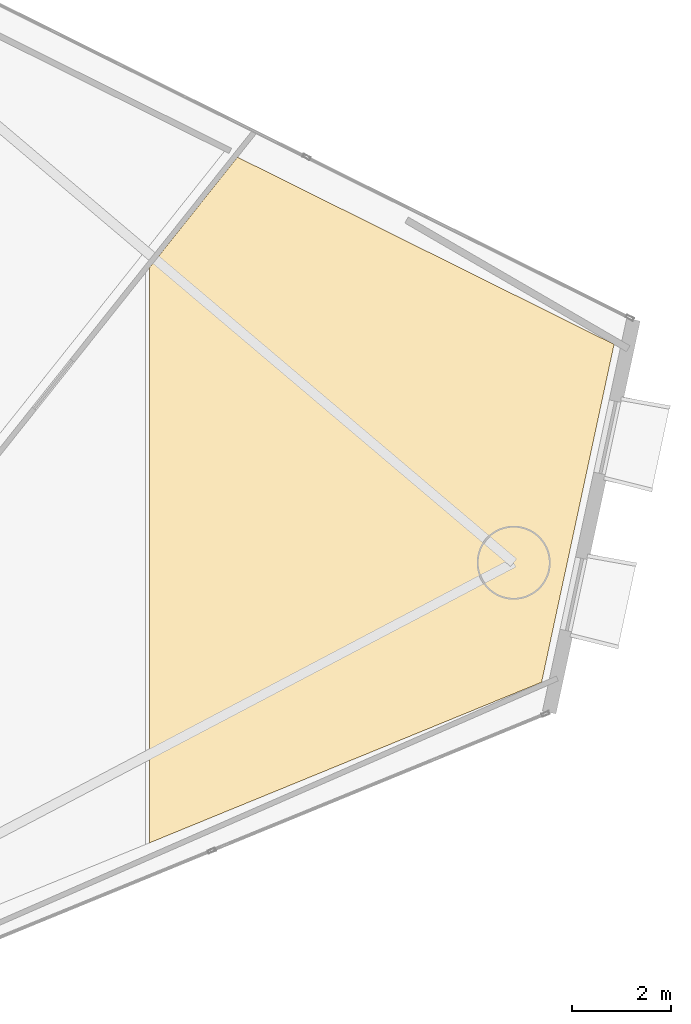
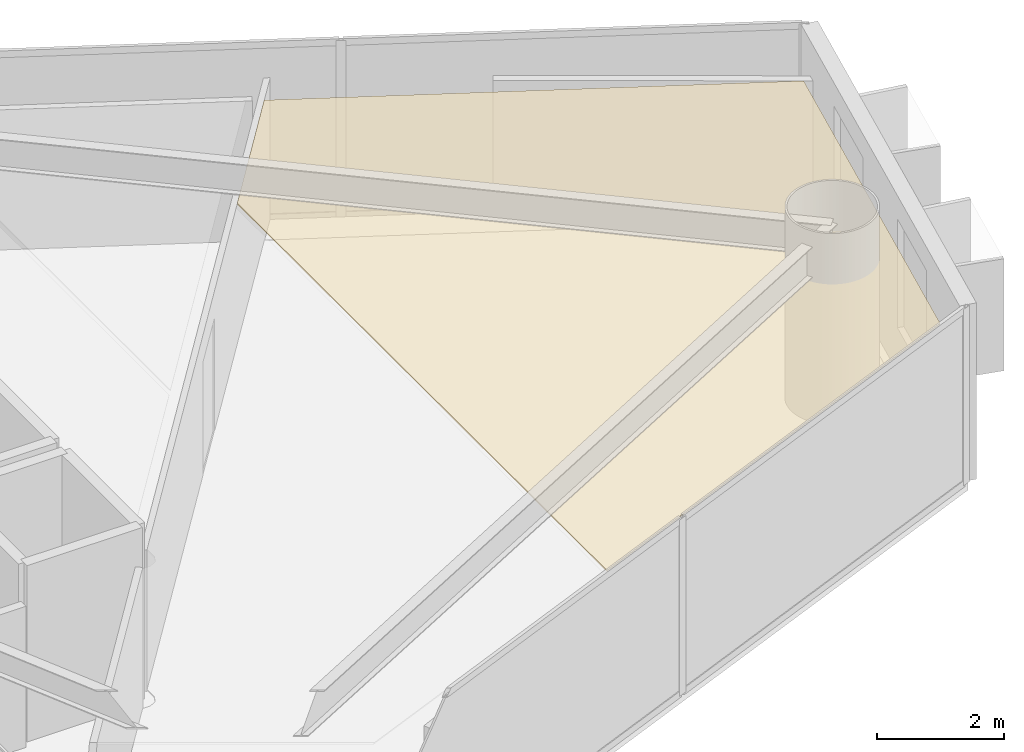
# One storey, part 22 of 22: 1 covering.
"""IFC4 building model written with IfcOpenShell, lengths in metres."""

from ifc_helpers import new_model, si_unit, direction, frame, origin, place, context, subcontext, project, spatial, polyline, outline, extrude, material, layer, layer_set, type_object, element, save


model = new_model("IFC4")

# Units and contexts
model_context = context("Model", 3, precision=1e-05, world=origin(), true_north=direction((0.0, 1.0)))
body_context = subcontext(model_context, "Body", "Model", "MODEL_VIEW")
ifc_project = project(units=[si_unit("LENGTHUNIT", "METRE"), si_unit("AREAUNIT", "SQUARE_METRE"), si_unit("VOLUMEUNIT", "CUBIC_METRE"), si_unit("PLANEANGLEUNIT", "RADIAN"), si_unit("MASSUNIT", "GRAM", prefix="KILO")], contexts=[model_context])

# Site, building, storey
site_placement = place(None, origin())
site = spatial("IfcSite", under=ifc_project, at=site_placement, CompositionType="ELEMENT")
building_placement = place(site_placement, origin())
building = spatial("IfcBuilding", under=site, at=building_placement, Name="Qianvela Tower", CompositionType="ELEMENT")
storey_placement = place(building_placement, frame((0.0, 0.0, 134.800048828125)))
storey = spatial("IfcBuildingStorey", under=building, at=storey_placement, Name="L34", CompositionType="ELEMENT", Elevation=134.800048828125)

# Covering
ifc_material = material(Name="Perforated Mineral Acoustic Ceiling Tile")
ifc_layer = layer(ifc_material, 0.02490234375)
ifc_layer_set = layer_set([ifc_layer], Name="Perforated Mineral Acoustic Ceiling Tile")
covering_type = type_object("IfcCoveringType", Name="COV-CEIL-ACOUSTIC-25", PredefinedType="CEILING", material=ifc_layer_set)
covering_placement = place(storey_placement, frame((0.0, 0.0, 2.695068359375)))
element("IfcCovering", 1, at=covering_placement, inside=storey, type_object=covering_type, Name="L34 Acoustic Ceiling Bay 2 Quiet Reading Study L34-04A", PredefinedType="CEILING", context=body_context, shape_type="SweptSolid", body=[
    extrude(outline(polyline([(51.586181640625, 32.190673828125), (59.23095703125, 28.390380859375), (57.760009765625, 21.531494140625), (49.801513671875, 18.271728515625), (49.801513671875, 29.94775390625), (51.586181640625, 32.190673828125)])), origin(), (0.0, 0.0, 1.0), 0.02490234375),
])

save(model, "model.ifc")
